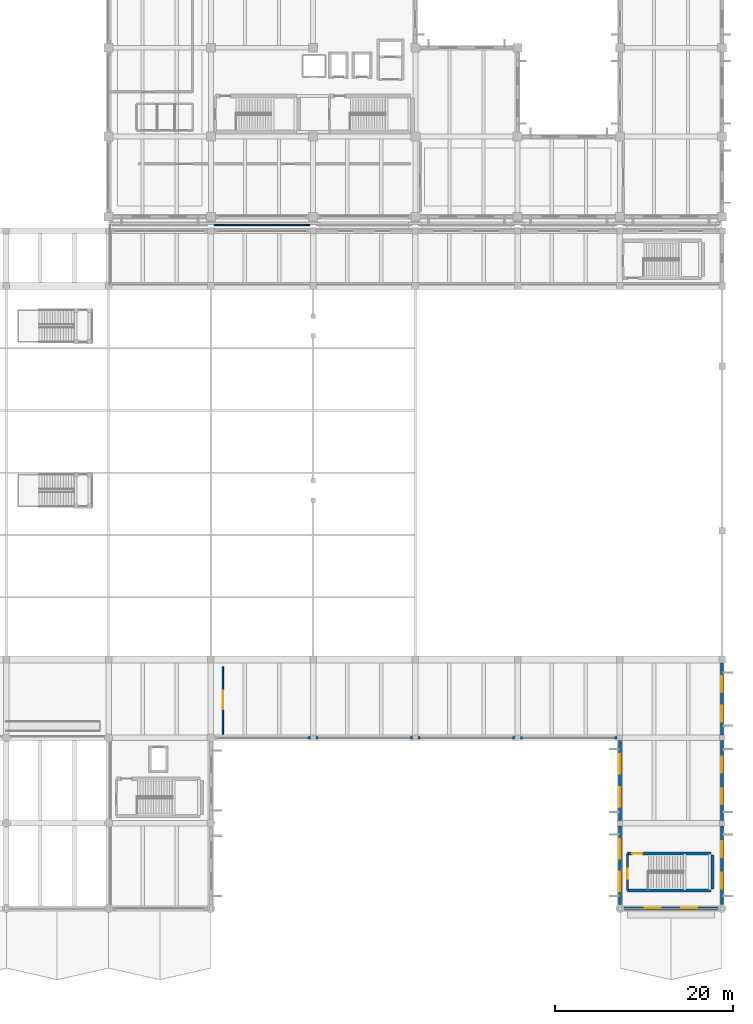
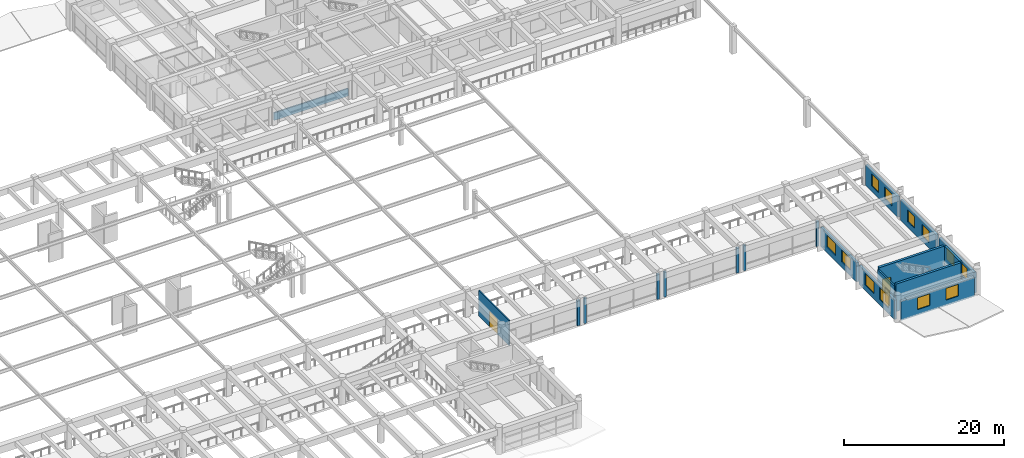
# One storey, part 78 of 98: 19 walls, 12 windows, 3 doors, 15 openings.
"""IFC4 building model written with IfcOpenShell, lengths in metres."""

from ifc_helpers import new_model, si_unit, direction, frame, frame_2d, origin, place, context, subcontext, project, spatial, rectangle, extrude, material, layer, layer_set, type_object, element, fill, save


model = new_model("IFC4")

# Units and contexts
model_context = context("Model", 3, precision=1e-05, world=origin(), true_north=direction((0.0, 1.0)))
body_context = subcontext(model_context, "Body", "Model", "MODEL_VIEW")
ifc_project = project(units=[si_unit("LENGTHUNIT", "METRE"), si_unit("AREAUNIT", "SQUARE_METRE"), si_unit("VOLUMEUNIT", "CUBIC_METRE"), si_unit("PLANEANGLEUNIT", "RADIAN"), si_unit("MASSUNIT", "GRAM", prefix="KILO")], contexts=[model_context])

# Site, building, storey
site_placement = place(None, origin())
site = spatial("IfcSite", under=ifc_project, at=site_placement, CompositionType="ELEMENT")
building_placement = place(site_placement, origin())
building = spatial("IfcBuilding", under=site, at=building_placement, Name="Ologun Quay Terminus", CompositionType="ELEMENT")
storey_placement = place(building_placement, frame((0.0, 0.0, 4.199951171875)))
storey = spatial("IfcBuildingStorey", under=building, at=storey_placement, Name="L01", CompositionType="ELEMENT", Elevation=4.199951171875)

# Walls
ifc_material_1 = material(Name="Concrete C40/50", Category="concrete")
ifc_layer_1 = layer(ifc_material_1, 0.280029296875)
ifc_layer_set_1 = layer_set([ifc_layer_1], Name="Concrete C40/50")
wall_type_1 = type_object("IfcWallType", Name="Courtyard Wing Spandrel Concrete Wall 280", PredefinedType="SOLIDWALL", material=ifc_layer_set_1)
for number, where, z_axis, x_axis, name in (
    (1, (137.330078125, 27.199951171875, 0.0), (0.0, 0.0, 1.0), (1.0, 0.0, 0.0), "Curtain Wall Jamb Pier CW-L01-016-J2"),
    (2, (138.320068359375, 27.199951171875, 0.0), (0.0, 0.0, 1.0), (1.0, 0.0, 0.0), "Curtain Wall Jamb Pier CW-L01-017-J1"),
    (3, (148.830078125, 27.199951171875, 0.0), (0.0, 0.0, 1.0), (1.0, 0.0, 0.0), "Curtain Wall Jamb Pier CW-L01-017-J2"),
    (4, (149.820068359375, 27.199951171875, 0.0), (0.0, 0.0, 1.0), (1.0, 0.0, 0.0), "Curtain Wall Jamb Pier CW-L01-018-J1"),
    (5, (160.330078125, 27.199951171875, 0.0), (0.0, 0.0, 1.0), (1.0, 0.0, 0.0), "Curtain Wall Jamb Pier CW-L01-018-J2"),
    (6, (161.320068359375, 27.199951171875, 0.0), (0.0, 0.0, 1.0), (1.0, 0.0, 0.0), "Curtain Wall Jamb Pier CW-L01-019-J1"),
    (7, (171.830078125, 27.199951171875, 0.0), (0.0, 0.0, 1.0), (1.0, 0.0, 0.0), "Curtain Wall Jamb Pier CW-L01-019-J2"),
):
    element("IfcWall", number, at=place(storey_placement, frame(where, z_axis=z_axis, x_axis=x_axis)), inside=storey, type_object=wall_type_1, Name=name, PredefinedType="SOLIDWALL", context=body_context, shape_type="SweptSolid", body=[
        extrude(rectangle(XDim=0.349853515625, YDim=0.280029296875, at=frame_2d((0.1748046875, 0.0))), origin(), (0.0, 0.0, 1.0), 3.840087890625),
    ])

# Wall, opening, door
ifc_material_2 = material(Name="Concrete C40/50", Category="concrete")
ifc_layer_2 = layer(ifc_material_2, 0.239990234375)
ifc_layer_set_2 = layer_set([ifc_layer_2], Name="Concrete C40/50")
wall_type_2 = type_object("IfcWallType", Name="Fire Compartment Blockwork Wall 240", PredefinedType="SOLIDWALL", material=ifc_layer_set_2)
wall_1_placement = place(storey_placement, frame((173.35009765625, 10.02001953125, 0.0), z_axis=(0.0, 0.0, 1.0), x_axis=(0.0, 1.0, 0.0)))
wall_1 = element("IfcWall", 8, at=wall_1_placement, inside=storey, type_object=wall_type_2, Name="PW-01 Partition ST-S2-W", PredefinedType="SOLIDWALL", context=body_context, shape_type="SweptSolid", body=[
    extrude(rectangle(XDim=4.159912109375, YDim=0.239990234375, at=frame_2d((2.080078125, 0.0))), origin(), (0.0, 0.0, 1.0), 3.840087890625),
])
opening_1_placement = place(wall_1_placement, frame((1.300048828125, 0.0, 0.0)))
opening_1 = element("IfcOpeningElement", 9, at=opening_1_placement, cuts=wall_1, Name="Opening ID-244", PredefinedType="OPENING", context=body_context, shape_type="SweptSolid", body=[
    extrude(rectangle(XDim=1.1298828125, YDim=2.14990234375, at=frame_2d((0.56494140625, 1.074951171875))), frame((0.0, 0.1298828125, 0.0), z_axis=(0.0, -1.0, 0.0), x_axis=(1.0, 0.0, 0.0)), (0.0, 0.0, 1.0), 0.260009765625),
])
ifc_material_3 = material(Name="Steel S355", Category="steel")
door_type_1 = type_object("IfcDoorType", Name="Stairwell Fire Escape Door 1130x2150", OperationType="SINGLE_SWING_LEFT", PredefinedType="DOOR", material=ifc_material_3)
door_1_placement = place(opening_1_placement, frame((0.56494140625, 0.0, 0.0), z_axis=(0.0, 0.0, 1.0), x_axis=(-1.0, 0.0, 0.0)))
door_1 = element("IfcDoor", 10, at=door_1_placement, inside=storey, type_object=door_type_1, Name="FD-01 Door ID-244", OperationType="SINGLE_SWING_LEFT", OverallHeight=2.14990234375, OverallWidth=1.1298828125, PredefinedType="DOOR", context=body_context, shape_type="SweptSolid", body=[
    extrude(rectangle(XDim=1.1298828125, YDim=2.14990234375, at=frame_2d((0.0, 1.074951171875))), frame((0.0, 0.02490234375, 0.0), z_axis=(0.0, -1.0, 0.0), x_axis=(1.0, 0.0, 0.0)), (0.0, 0.0, 1.0), 0.050048828125),
])
fill(opening_1, door_1)

# Wall
ifc_material_4 = material(Name="Concrete C40/50", Category="concrete")
ifc_layer_3 = layer(ifc_material_4, 0.18994140625)
ifc_layer_set_3 = layer_set([ifc_layer_3], Name="Concrete C40/50")
wall_type_3 = type_object("IfcWallType", Name="Movement Joint Weathering Upstand 190", PredefinedType="PARAPET", material=ifc_layer_set_3)
wall_2_placement = place(storey_placement, frame((126.89990234375, 84.860107421875, 0.0), z_axis=(0.0, 0.0, 1.0), x_axis=(1.0, 0.0, 0.0)))
element("IfcWall", 11, at=wall_2_placement, inside=storey, type_object=wall_type_3, Name="EW-07 Movement Joint Upstand L01-12", PredefinedType="PARAPET", context=body_context, shape_type="SweptSolid", body=[
    extrude(rectangle(XDim=10.7001953125, YDim=0.18994140625, at=frame_2d((5.35009765625, 0.0))), origin(), (0.0, 0.0, 1.0), 1.150146484375),
])

# Wall, openings, windows
ifc_material_5 = material(Name="Concrete C40/50", Category="concrete")
ifc_layer_4 = layer(ifc_material_5, 0.320068359375)
ifc_layer_set_4 = layer_set([ifc_layer_4], Name="Concrete C40/50")
wall_type_4 = type_object("IfcWallType", Name="Podium Sculpted Concrete Facade Wall 320", PredefinedType="SOLIDWALL", material=ifc_layer_set_4)
wall_3_placement = place(storey_placement, frame((172.5, 8.469970703125, 0.0), z_axis=(0.0, 0.0, 1.0), x_axis=(0.0, 1.0, 0.0)))
wall_3 = element("IfcWall", 12, at=wall_3_placement, inside=storey, type_object=wall_type_4, Name="EW-01 Facade Wall WEW-SA-L01-3-5", PredefinedType="SOLIDWALL", context=body_context, shape_type="SweptSolid", body=[
    extrude(rectangle(XDim=8.81005859375, YDim=0.320068359375, at=frame_2d((4.405029296875, 0.0))), origin(), (0.0, 0.0, 1.0), 2.949951171875),
])
opening_2_placement = place(wall_3_placement, frame((1.469970703125, 0.0, 0.85009765625)))
opening_2 = element("IfcOpeningElement", 13, at=opening_2_placement, cuts=wall_3, Name="Opening WN-049", PredefinedType="OPENING", context=body_context, shape_type="SweptSolid", body=[
    extrude(rectangle(XDim=2.199951171875, YDim=1.800048828125, at=frame_2d((1.10009765625, 0.89990234375))), frame((0.0, 0.169921875, 0.0), z_axis=(0.0, -1.0, 0.0), x_axis=(1.0, 0.0, 0.0)), (0.0, 0.0, 1.0), 0.340087890625),
])
opening_3_placement = place(wall_3_placement, frame((5.139892578125, 0.0, 0.85009765625)))
opening_3 = element("IfcOpeningElement", 14, at=opening_3_placement, cuts=wall_3, Name="Opening WN-050", PredefinedType="OPENING", context=body_context, shape_type="SweptSolid", body=[
    extrude(rectangle(XDim=2.199951171875, YDim=1.800048828125, at=frame_2d((1.10009765625, 0.89990234375))), frame((0.0, 0.169921875, 0.0), z_axis=(0.0, -1.0, 0.0), x_axis=(1.0, 0.0, 0.0)), (0.0, 0.0, 1.0), 0.340087890625),
])
ifc_material_6 = material(Name="Glass", Category="glass")
window_type_1 = type_object("IfcWindowType", Name="Heritage Gallery Window 2200x1800", PartitioningType="SINGLE_PANEL", PredefinedType="WINDOW", material=ifc_material_6)
window_1_placement = place(opening_2_placement, origin())
window_1 = element("IfcWindow", 15, at=window_1_placement, inside=storey, type_object=window_type_1, Name="W-06 Window WN-049", OverallHeight=1.800048828125, OverallWidth=2.199951171875, PartitioningType="SINGLE_PANEL", PredefinedType="WINDOW", context=body_context, shape_type="SweptSolid", body=[
    extrude(rectangle(XDim=2.199951171875, YDim=1.800048828125, at=frame_2d((1.10009765625, 0.89990234375))), frame((0.0, 0.030029296875, 0.0), z_axis=(0.0, -1.0, 0.0), x_axis=(1.0, 0.0, 0.0)), (0.0, 0.0, 1.0), 0.06005859375),
])
fill(opening_2, window_1)
window_2_placement = place(opening_3_placement, origin())
window_2 = element("IfcWindow", 16, at=window_2_placement, inside=storey, type_object=window_type_1, Name="W-06 Window WN-050", OverallHeight=1.800048828125, OverallWidth=2.199951171875, PartitioningType="SINGLE_PANEL", PredefinedType="WINDOW", context=body_context, shape_type="SweptSolid", body=[
    extrude(rectangle(XDim=2.199951171875, YDim=1.800048828125, at=frame_2d((1.10009765625, 0.89990234375))), frame((0.0, 0.030029296875, 0.0), z_axis=(0.0, -1.0, 0.0), x_axis=(1.0, 0.0, 0.0)), (0.0, 0.0, 1.0), 0.06005859375),
])
fill(opening_3, window_2)

wall_4_placement = place(storey_placement, frame((172.5, 17.919921875, 0.0), z_axis=(0.0, 0.0, 1.0), x_axis=(0.0, 1.0, 0.0)))
wall_4 = element("IfcWall", 17, at=wall_4_placement, inside=storey, type_object=wall_type_4, Name="EW-01 Facade Wall WEW-SA-L01-3-6", PredefinedType="SOLIDWALL", context=body_context, shape_type="SweptSolid", body=[
    extrude(rectangle(XDim=8.9599609375, YDim=0.320068359375, at=frame_2d((4.47998046875, 0.0))), origin(), (0.0, 0.0, 1.0), 2.949951171875),
])
opening_4_placement = place(wall_4_placement, frame((1.52001953125, 0.0, 0.85009765625)))
opening_4 = element("IfcOpeningElement", 18, at=opening_4_placement, cuts=wall_4, Name="Opening WN-051", PredefinedType="OPENING", context=body_context, shape_type="SweptSolid", body=[
    extrude(rectangle(XDim=2.199951171875, YDim=1.800048828125, at=frame_2d((1.10009765625, 0.89990234375))), frame((0.0, 0.169921875, 0.0), z_axis=(0.0, -1.0, 0.0), x_axis=(1.0, 0.0, 0.0)), (0.0, 0.0, 1.0), 0.340087890625),
])
opening_5_placement = place(wall_4_placement, frame((5.239990234375, 0.0, 0.85009765625)))
opening_5 = element("IfcOpeningElement", 19, at=opening_5_placement, cuts=wall_4, Name="Opening WN-052", PredefinedType="OPENING", context=body_context, shape_type="SweptSolid", body=[
    extrude(rectangle(XDim=2.199951171875, YDim=1.800048828125, at=frame_2d((1.10009765625, 0.89990234375))), frame((0.0, 0.169921875, 0.0), z_axis=(0.0, -1.0, 0.0), x_axis=(1.0, 0.0, 0.0)), (0.0, 0.0, 1.0), 0.340087890625),
])
window_3_placement = place(opening_4_placement, origin())
window_3 = element("IfcWindow", 20, at=window_3_placement, inside=storey, type_object=window_type_1, Name="W-06 Window WN-051", OverallHeight=1.800048828125, OverallWidth=2.199951171875, PartitioningType="SINGLE_PANEL", PredefinedType="WINDOW", context=body_context, shape_type="SweptSolid", body=[
    extrude(rectangle(XDim=2.199951171875, YDim=1.800048828125, at=frame_2d((1.10009765625, 0.89990234375))), frame((0.0, 0.030029296875, 0.0), z_axis=(0.0, -1.0, 0.0), x_axis=(1.0, 0.0, 0.0)), (0.0, 0.0, 1.0), 0.06005859375),
])
fill(opening_4, window_3)
window_4_placement = place(opening_5_placement, origin())
window_4 = element("IfcWindow", 21, at=window_4_placement, inside=storey, type_object=window_type_1, Name="W-06 Window WN-052", OverallHeight=1.800048828125, OverallWidth=2.199951171875, PartitioningType="SINGLE_PANEL", PredefinedType="WINDOW", context=body_context, shape_type="SweptSolid", body=[
    extrude(rectangle(XDim=2.199951171875, YDim=1.800048828125, at=frame_2d((1.10009765625, 0.89990234375))), frame((0.0, 0.030029296875, 0.0), z_axis=(0.0, -1.0, 0.0), x_axis=(1.0, 0.0, 0.0)), (0.0, 0.0, 1.0), 0.06005859375),
])
fill(opening_5, window_4)

wall_5_placement = place(storey_placement, frame((172.969970703125, 8.0, 0.0), z_axis=(0.0, 0.0, 1.0), x_axis=(1.0, 0.0, 0.0)))
wall_5 = element("IfcWall", 22, at=wall_5_placement, inside=storey, type_object=wall_type_4, Name="EW-01 Facade Wall WEW-SA-L01-3-7", PredefinedType="SOLIDWALL", context=body_context, shape_type="SweptSolid", body=[
    extrude(rectangle(XDim=10.56005859375, YDim=0.320068359375, at=frame_2d((5.280029296875, 0.0))), origin(), (0.0, 0.0, 1.0), 2.949951171875),
])
opening_6_placement = place(wall_5_placement, frame((2.320068359375, 0.0, 0.85009765625)))
opening_6 = element("IfcOpeningElement", 23, at=opening_6_placement, cuts=wall_5, Name="Opening WN-053", PredefinedType="OPENING", context=body_context, shape_type="SweptSolid", body=[
    extrude(rectangle(XDim=1.800048828125, YDim=1.800048828125, at=frame_2d((0.89990234375, 0.89990234375))), frame((0.0, 0.169921875, 0.0), z_axis=(0.0, -1.0, 0.0), x_axis=(1.0, 0.0, 0.0)), (0.0, 0.0, 1.0), 0.340087890625),
])
opening_7_placement = place(wall_5_placement, frame((6.43994140625, 0.0, 0.85009765625)))
opening_7 = element("IfcOpeningElement", 24, at=opening_7_placement, cuts=wall_5, Name="Opening WN-054", PredefinedType="OPENING", context=body_context, shape_type="SweptSolid", body=[
    extrude(rectangle(XDim=1.800048828125, YDim=1.800048828125, at=frame_2d((0.89990234375, 0.89990234375))), frame((0.0, 0.169921875, 0.0), z_axis=(0.0, -1.0, 0.0), x_axis=(1.0, 0.0, 0.0)), (0.0, 0.0, 1.0), 0.340087890625),
])
ifc_material_7 = material(Name="Glass", Category="glass")
window_type_2 = type_object("IfcWindowType", Name="Mezzanine Gallery Window 1800x1800", PartitioningType="SINGLE_PANEL", PredefinedType="WINDOW", material=ifc_material_7)
window_5_placement = place(opening_6_placement, origin())
window_5 = element("IfcWindow", 25, at=window_5_placement, inside=storey, type_object=window_type_2, Name="W-05 Window WN-053", OverallHeight=1.800048828125, OverallWidth=1.800048828125, PartitioningType="SINGLE_PANEL", PredefinedType="WINDOW", context=body_context, shape_type="SweptSolid", body=[
    extrude(rectangle(XDim=1.800048828125, YDim=1.800048828125, at=frame_2d((0.89990234375, 0.89990234375))), frame((0.0, 0.030029296875, 0.0), z_axis=(0.0, -1.0, 0.0), x_axis=(1.0, 0.0, 0.0)), (0.0, 0.0, 1.0), 0.06005859375),
])
fill(opening_6, window_5)
window_6_placement = place(opening_7_placement, origin())
window_6 = element("IfcWindow", 26, at=window_6_placement, inside=storey, type_object=window_type_2, Name="W-05 Window WN-054", OverallHeight=1.800048828125, OverallWidth=1.800048828125, PartitioningType="SINGLE_PANEL", PredefinedType="WINDOW", context=body_context, shape_type="SweptSolid", body=[
    extrude(rectangle(XDim=1.800048828125, YDim=1.800048828125, at=frame_2d((0.89990234375, 0.89990234375))), frame((0.0, 0.030029296875, 0.0), z_axis=(0.0, -1.0, 0.0), x_axis=(1.0, 0.0, 0.0)), (0.0, 0.0, 1.0), 0.06005859375),
])
fill(opening_7, window_6)

wall_6_placement = place(storey_placement, frame((184.0, 8.469970703125, 0.0), z_axis=(0.0, 0.0, 1.0), x_axis=(0.0, 1.0, 0.0)))
wall_6 = element("IfcWall", 27, at=wall_6_placement, inside=storey, type_object=wall_type_4, Name="EW-01 Facade Wall WEW-SA-L01-3-8", PredefinedType="SOLIDWALL", context=body_context, shape_type="SweptSolid", body=[
    extrude(rectangle(XDim=8.81005859375, YDim=0.320068359375, at=frame_2d((4.405029296875, 0.0))), origin(), (0.0, 0.0, 1.0), 3.150146484375),
])
opening_8_placement = place(wall_6_placement, frame((1.73681640625, 0.0, 0.85009765625)))
opening_8 = element("IfcOpeningElement", 28, at=opening_8_placement, cuts=wall_6, Name="Opening WN-055", PredefinedType="OPENING", context=body_context, shape_type="SweptSolid", body=[
    extrude(rectangle(XDim=1.800048828125, YDim=1.800048828125, at=frame_2d((0.89990234375, 0.89990234375))), frame((0.0, 0.169921875, 0.0), z_axis=(0.0, -1.0, 0.0), x_axis=(1.0, 0.0, 0.0)), (0.0, 0.0, 1.0), 0.340087890625),
])
opening_9_placement = place(wall_6_placement, frame((5.273193359375, 0.0, 0.85009765625)))
opening_9 = element("IfcOpeningElement", 29, at=opening_9_placement, cuts=wall_6, Name="Opening WN-056", PredefinedType="OPENING", context=body_context, shape_type="SweptSolid", body=[
    extrude(rectangle(XDim=1.800048828125, YDim=1.800048828125, at=frame_2d((0.89990234375, 0.89990234375))), frame((0.0, 0.169921875, 0.0), z_axis=(0.0, -1.0, 0.0), x_axis=(1.0, 0.0, 0.0)), (0.0, 0.0, 1.0), 0.340087890625),
])
window_7_placement = place(opening_8_placement, origin())
window_7 = element("IfcWindow", 30, at=window_7_placement, inside=storey, type_object=window_type_2, Name="W-05 Window WN-055", OverallHeight=1.800048828125, OverallWidth=1.800048828125, PartitioningType="SINGLE_PANEL", PredefinedType="WINDOW", context=body_context, shape_type="SweptSolid", body=[
    extrude(rectangle(XDim=1.800048828125, YDim=1.800048828125, at=frame_2d((0.89990234375, 0.89990234375))), frame((0.0, 0.030029296875, 0.0), z_axis=(0.0, -1.0, 0.0), x_axis=(1.0, 0.0, 0.0)), (0.0, 0.0, 1.0), 0.06005859375),
])
fill(opening_8, window_7)
window_8_placement = place(opening_9_placement, origin())
window_8 = element("IfcWindow", 31, at=window_8_placement, inside=storey, type_object=window_type_2, Name="W-05 Window WN-056", OverallHeight=1.800048828125, OverallWidth=1.800048828125, PartitioningType="SINGLE_PANEL", PredefinedType="WINDOW", context=body_context, shape_type="SweptSolid", body=[
    extrude(rectangle(XDim=1.800048828125, YDim=1.800048828125, at=frame_2d((0.89990234375, 0.89990234375))), frame((0.0, 0.030029296875, 0.0), z_axis=(0.0, -1.0, 0.0), x_axis=(1.0, 0.0, 0.0)), (0.0, 0.0, 1.0), 0.06005859375),
])
fill(opening_9, window_8)

wall_7_placement = place(storey_placement, frame((184.0, 17.919921875, 0.0), z_axis=(0.0, 0.0, 1.0), x_axis=(0.0, 1.0, 0.0)))
wall_7 = element("IfcWall", 32, at=wall_7_placement, inside=storey, type_object=wall_type_4, Name="EW-01 Facade Wall WEW-SA-L01-3-9", PredefinedType="SOLIDWALL", context=body_context, shape_type="SweptSolid", body=[
    extrude(rectangle(XDim=8.9599609375, YDim=0.320068359375, at=frame_2d((4.47998046875, 0.0))), origin(), (0.0, 0.0, 1.0), 3.150146484375),
])
opening_10_placement = place(wall_7_placement, frame((1.78662109375, 0.0, 0.85009765625)))
opening_10 = element("IfcOpeningElement", 33, at=opening_10_placement, cuts=wall_7, Name="Opening WN-057", PredefinedType="OPENING", context=body_context, shape_type="SweptSolid", body=[
    extrude(rectangle(XDim=1.800048828125, YDim=1.800048828125, at=frame_2d((0.89990234375, 0.89990234375))), frame((0.0, 0.169921875, 0.0), z_axis=(0.0, -1.0, 0.0), x_axis=(1.0, 0.0, 0.0)), (0.0, 0.0, 1.0), 0.340087890625),
])
opening_11_placement = place(wall_7_placement, frame((5.373291015625, 0.0, 0.85009765625)))
opening_11 = element("IfcOpeningElement", 34, at=opening_11_placement, cuts=wall_7, Name="Opening WN-058", PredefinedType="OPENING", context=body_context, shape_type="SweptSolid", body=[
    extrude(rectangle(XDim=1.800048828125, YDim=1.800048828125, at=frame_2d((0.89990234375, 0.89990234375))), frame((0.0, 0.169921875, 0.0), z_axis=(0.0, -1.0, 0.0), x_axis=(1.0, 0.0, 0.0)), (0.0, 0.0, 1.0), 0.340087890625),
])
window_9_placement = place(opening_10_placement, origin())
window_9 = element("IfcWindow", 35, at=window_9_placement, inside=storey, type_object=window_type_2, Name="W-05 Window WN-057", OverallHeight=1.800048828125, OverallWidth=1.800048828125, PartitioningType="SINGLE_PANEL", PredefinedType="WINDOW", context=body_context, shape_type="SweptSolid", body=[
    extrude(rectangle(XDim=1.800048828125, YDim=1.800048828125, at=frame_2d((0.89990234375, 0.89990234375))), frame((0.0, 0.030029296875, 0.0), z_axis=(0.0, -1.0, 0.0), x_axis=(1.0, 0.0, 0.0)), (0.0, 0.0, 1.0), 0.06005859375),
])
fill(opening_10, window_9)
window_10_placement = place(opening_11_placement, origin())
window_10 = element("IfcWindow", 36, at=window_10_placement, inside=storey, type_object=window_type_2, Name="W-05 Window WN-058", OverallHeight=1.800048828125, OverallWidth=1.800048828125, PartitioningType="SINGLE_PANEL", PredefinedType="WINDOW", context=body_context, shape_type="SweptSolid", body=[
    extrude(rectangle(XDim=1.800048828125, YDim=1.800048828125, at=frame_2d((0.89990234375, 0.89990234375))), frame((0.0, 0.030029296875, 0.0), z_axis=(0.0, -1.0, 0.0), x_axis=(1.0, 0.0, 0.0)), (0.0, 0.0, 1.0), 0.06005859375),
])
fill(opening_11, window_10)

wall_8_placement = place(storey_placement, frame((184.0, 27.52001953125, 0.0), z_axis=(0.0, 0.0, 1.0), x_axis=(0.0, 1.0, 0.0)))
wall_8 = element("IfcWall", 37, at=wall_8_placement, inside=storey, type_object=wall_type_4, Name="EW-01 Facade Wall WEW-SA-L01-3-10", PredefinedType="SOLIDWALL", context=body_context, shape_type="SweptSolid", body=[
    extrude(rectangle(XDim=8.0849609375, YDim=0.320068359375, at=frame_2d((4.04248046875, 0.0))), origin(), (0.0, 0.0, 1.0), 3.150146484375),
])
opening_12_placement = place(wall_8_placement, frame((1.4951171875, 0.0, 0.85009765625)))
opening_12 = element("IfcOpeningElement", 38, at=opening_12_placement, cuts=wall_8, Name="Opening WN-059", PredefinedType="OPENING", context=body_context, shape_type="SweptSolid", body=[
    extrude(rectangle(XDim=1.800048828125, YDim=1.800048828125, at=frame_2d((0.89990234375, 0.89990234375))), frame((0.0, 0.169921875, 0.0), z_axis=(0.0, -1.0, 0.0), x_axis=(1.0, 0.0, 0.0)), (0.0, 0.0, 1.0), 0.340087890625),
])
opening_13_placement = place(wall_8_placement, frame((4.7900390625, 0.0, 0.85009765625)))
opening_13 = element("IfcOpeningElement", 39, at=opening_13_placement, cuts=wall_8, Name="Opening WN-060", PredefinedType="OPENING", context=body_context, shape_type="SweptSolid", body=[
    extrude(rectangle(XDim=1.800048828125, YDim=1.800048828125, at=frame_2d((0.89990234375, 0.89990234375))), frame((0.0, 0.169921875, 0.0), z_axis=(0.0, -1.0, 0.0), x_axis=(1.0, 0.0, 0.0)), (0.0, 0.0, 1.0), 0.340087890625),
])
window_11_placement = place(opening_12_placement, origin())
window_11 = element("IfcWindow", 40, at=window_11_placement, inside=storey, type_object=window_type_2, Name="W-05 Window WN-059", OverallHeight=1.800048828125, OverallWidth=1.800048828125, PartitioningType="SINGLE_PANEL", PredefinedType="WINDOW", context=body_context, shape_type="SweptSolid", body=[
    extrude(rectangle(XDim=1.800048828125, YDim=1.800048828125, at=frame_2d((0.89990234375, 0.89990234375))), frame((0.0, 0.030029296875, 0.0), z_axis=(0.0, -1.0, 0.0), x_axis=(1.0, 0.0, 0.0)), (0.0, 0.0, 1.0), 0.06005859375),
])
fill(opening_12, window_11)
window_12_placement = place(opening_13_placement, origin())
window_12 = element("IfcWindow", 41, at=window_12_placement, inside=storey, type_object=window_type_2, Name="W-05 Window WN-060", OverallHeight=1.800048828125, OverallWidth=1.800048828125, PartitioningType="SINGLE_PANEL", PredefinedType="WINDOW", context=body_context, shape_type="SweptSolid", body=[
    extrude(rectangle(XDim=1.800048828125, YDim=1.800048828125, at=frame_2d((0.89990234375, 0.89990234375))), frame((0.0, 0.030029296875, 0.0), z_axis=(0.0, -1.0, 0.0), x_axis=(1.0, 0.0, 0.0)), (0.0, 0.0, 1.0), 0.06005859375),
])
fill(opening_13, window_12)

# Wall, opening, door
ifc_material_8 = material(Name="Concrete C40/50", Category="concrete")
ifc_layer_5 = layer(ifc_material_8, 0.159912109375)
ifc_layer_set_5 = layer_set([ifc_layer_5], Name="Concrete C40/50")
wall_type_5 = type_object("IfcWallType", Name="Retail & Lounge Separation Wall 160", PredefinedType="PARTITIONING", material=ifc_layer_set_5)
wall_9_placement = place(storey_placement, frame((127.85009765625, 27.60009765625, 0.0), z_axis=(0.0, 0.0, 1.0), x_axis=(0.0, 1.0, 0.0)))
wall_9 = element("IfcWall", 42, at=wall_9_placement, inside=storey, type_object=wall_type_5, Name="PW-04 Partition L01-LostProp-W", PredefinedType="PARTITIONING", context=body_context, shape_type="SweptSolid", body=[
    extrude(rectangle(XDim=7.599853515625, YDim=0.159912109375, at=frame_2d((3.7998046875, 0.0))), origin(), (0.0, 0.0, 1.0), 3.840087890625),
])
opening_14_placement = place(wall_9_placement, frame((2.800048828125, 0.0, 0.0)))
opening_14 = element("IfcOpeningElement", 43, at=opening_14_placement, cuts=wall_9, Name="Opening ID-309", PredefinedType="OPENING", context=body_context, shape_type="SweptSolid", body=[
    extrude(rectangle(XDim=2.10009765625, YDim=2.35009765625, at=frame_2d((1.050048828125, 1.175048828125))), frame((0.0, 0.08984375, 0.0), z_axis=(0.0, -1.0, 0.0), x_axis=(1.0, 0.0, 0.0)), (0.0, 0.0, 1.0), 0.179931640625),
])
ifc_material_9 = material(Name="Glass", Category="glass")
door_type_2 = type_object("IfcDoorType", Name="Waiting Lounge Glazed Pair 2100x2350", OperationType="DOUBLE_DOOR_SINGLE_SWING", PredefinedType="DOOR", material=ifc_material_9)
door_2_placement = place(opening_14_placement, origin())
door_2 = element("IfcDoor", 44, at=door_2_placement, inside=storey, type_object=door_type_2, Name="ID-07 Door ID-309", OperationType="DOUBLE_DOOR_SINGLE_SWING", OverallHeight=2.35009765625, OverallWidth=2.10009765625, PredefinedType="DOOR", context=body_context, shape_type="SweptSolid", body=[
    extrude(rectangle(XDim=2.10009765625, YDim=2.35009765625, at=frame_2d((1.050048828125, 1.175048828125))), frame((0.0, 0.02490234375, 0.0), z_axis=(0.0, -1.0, 0.0), x_axis=(1.0, 0.0, 0.0)), (0.0, 0.0, 1.0), 0.050048828125),
])
fill(opening_14, door_2)

# Wall
ifc_material_10 = material(Name="Concrete C40/50", Category="concrete")
ifc_layer_6 = layer(ifc_material_10, 0.35009765625)
ifc_layer_set_6 = layer_set([ifc_layer_6], Name="Concrete C40/50")
wall_type_6 = type_object("IfcWallType", Name="Station Core Shear Wall 350", PredefinedType="SHEAR", material=ifc_layer_set_6)
wall_10_placement = place(storey_placement, frame((173.35009765625, 10.02490234375, 0.0), z_axis=(0.0, 0.0, 1.0), x_axis=(1.0, 0.0, 0.0)))
element("IfcWall", 45, at=wall_10_placement, inside=storey, type_object=wall_type_6, Name="Station Core 2 S Shear Wall L01", PredefinedType="SHEAR", context=body_context, shape_type="SweptSolid", body=[
    extrude(rectangle(XDim=9.39990234375, YDim=0.35009765625, at=frame_2d((4.699951171875, 0.0))), origin(), (0.0, 0.0, 1.0), 4.199951171875),
])

# Wall, opening, door
wall_11_placement = place(storey_placement, frame((173.35009765625, 14.175048828125, 0.0), z_axis=(0.0, 0.0, 1.0), x_axis=(1.0, 0.0, 0.0)))
wall_11 = element("IfcWall", 46, at=wall_11_placement, inside=storey, type_object=wall_type_6, Name="Station Core 2 N Shear Wall L01", PredefinedType="SHEAR", context=body_context, shape_type="SweptSolid", body=[
    extrude(rectangle(XDim=9.39990234375, YDim=0.35009765625, at=frame_2d((4.699951171875, 0.0))), origin(), (0.0, 0.0, 1.0), 4.199951171875),
])
opening_15_placement = place(wall_11_placement, frame((0.550048828125, 0.0, 0.0)))
opening_15 = element("IfcOpeningElement", 47, at=opening_15_placement, cuts=wall_11, Name="Opening ID-245", PredefinedType="OPENING", context=body_context, shape_type="SweptSolid", body=[
    extrude(rectangle(XDim=1.1298828125, YDim=2.14990234375, at=frame_2d((0.56494140625, 1.074951171875))), frame((0.0, 0.18505859375, 0.0), z_axis=(0.0, -1.0, 0.0), x_axis=(1.0, 0.0, 0.0)), (0.0, 0.0, 1.0), 0.3701171875),
])
door_3_placement = place(opening_15_placement, frame((0.56494140625, 0.0, 0.0), z_axis=(0.0, 0.0, 1.0), x_axis=(-1.0, 0.0, 0.0)))
door_3 = element("IfcDoor", 48, at=door_3_placement, inside=storey, type_object=door_type_1, Name="FD-01 Door ID-245", OperationType="SINGLE_SWING_LEFT", OverallHeight=2.14990234375, OverallWidth=1.1298828125, PredefinedType="DOOR", context=body_context, shape_type="SweptSolid", body=[
    extrude(rectangle(XDim=1.1298828125, YDim=2.14990234375, at=frame_2d((0.0, 1.074951171875))), frame((0.0, 0.02490234375, 0.0), z_axis=(0.0, -1.0, 0.0), x_axis=(1.0, 0.0, 0.0)), (0.0, 0.0, 1.0), 0.050048828125),
])
fill(opening_15, door_3)

# Wall
wall_12_placement = place(storey_placement, frame((182.925048828125, 10.199951171875, 0.0), z_axis=(0.0, 0.0, 1.0), x_axis=(0.0, 1.0, 0.0)))
element("IfcWall", 49, at=wall_12_placement, inside=storey, type_object=wall_type_6, Name="Station Core 2 E Shear Wall L01", PredefinedType="SHEAR", context=body_context, shape_type="SweptSolid", body=[
    extrude(rectangle(XDim=3.800048828125, YDim=0.35009765625, at=frame_2d((1.89990234375, 0.0))), origin(), (0.0, 0.0, 1.0), 4.199951171875),
])

save(model, "model.ifc")
